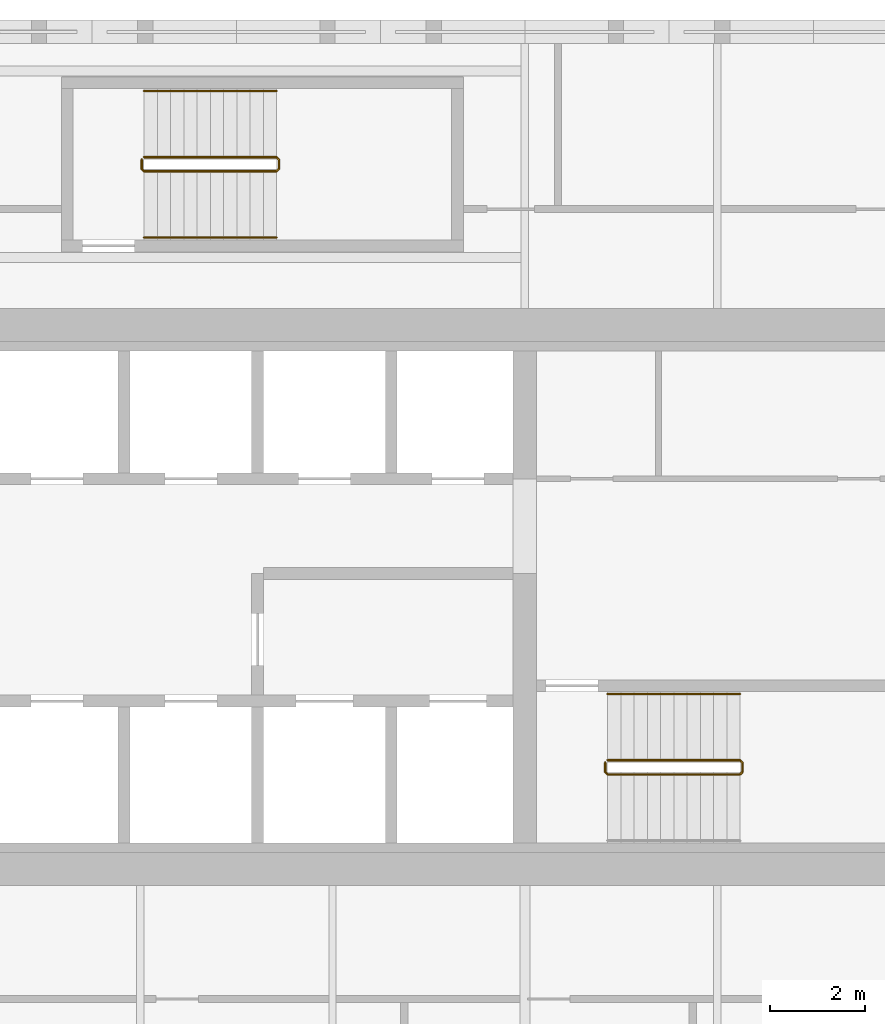
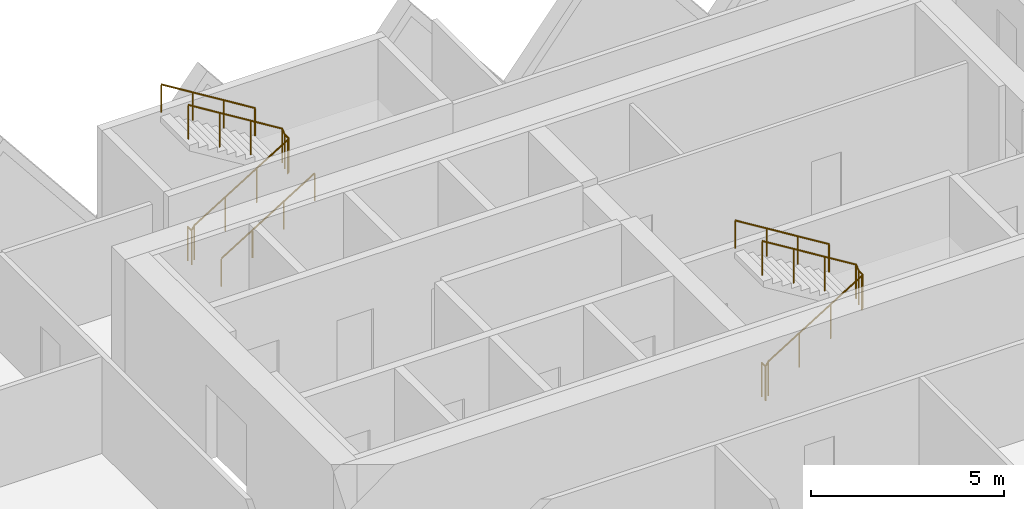
# One storey, part 18 of 18: 5 railings.
"""IFC4 building model written with IfcOpenShell, lengths in metres."""

from ifc_helpers import new_model, si_unit, direction, frame, origin, origin_2d, place, context, subcontext, project, spatial, circle, extrude, material, type_object, element, save


model = new_model("IFC4")

# Units and contexts
model_context = context("Model", 3, precision=1e-05, world=origin(), true_north=direction((0.0, 1.0)))
body_context = subcontext(model_context, "Body", "Model", "MODEL_VIEW")
ifc_project = project(units=[si_unit("LENGTHUNIT", "METRE"), si_unit("AREAUNIT", "SQUARE_METRE"), si_unit("VOLUMEUNIT", "CUBIC_METRE"), si_unit("PLANEANGLEUNIT", "RADIAN"), si_unit("MASSUNIT", "GRAM", prefix="KILO")], contexts=[model_context])

# Site, building, storey
site_placement = place(None, origin())
site = spatial("IfcSite", under=ifc_project, at=site_placement, CompositionType="ELEMENT")
building_placement = place(site_placement, origin())
building = spatial("IfcBuilding", under=site, at=building_placement, Name="Tessera Gate Towers", CompositionType="ELEMENT")
storey_placement = place(building_placement, frame((0.0, 0.0, 56.199951171875)))
storey = spatial("IfcBuildingStorey", under=building, at=storey_placement, Name="L13", CompositionType="ELEMENT", Elevation=56.199951171875)

# Railings
ifc_material_1 = material(Name="Steel 350W", Category="steel")
railing_type_1 = type_object("IfcRailingType", Name="STAIR GUARD 1100", PredefinedType="GUARDRAIL", material=ifc_material_1)
railing_1_placement = place(storey_placement, frame((111.5, 39.199951171875, 0.0)))
element("IfcRailing", 1, at=railing_1_placement, inside=storey, type_object=railing_type_1, Name="L13 ST6 stair guard 1", PredefinedType="GUARDRAIL", context=body_context, shape_type="SweptSolid", body=[
    extrude(circle(Radius=0.02392578125, at=origin_2d()), frame((0.0, 0.0, 1.076171875), z_axis=(0.0, -1.0, 0.0), x_axis=(1.0, 0.0, 0.0)), (0.0, 0.0, 1.0), 0.199951171875),
    extrude(circle(Radius=0.02392578125, at=origin_2d()), frame((0.0, -0.199951171875, 1.076171875), z_axis=(0.267953482034, -0.267953482034, 0.925419830635), x_axis=(0.707106781187, 0.707106781187, 0.0)), (0.0, 0.0, 1.0), 0.186767578125),
    extrude(circle(Radius=0.02392578125, at=origin_2d()), frame((0.050048828125, -0.25, 1.2490234375), z_axis=(0.851089632645, 0.0, 0.525020415988), x_axis=(0.0, 1.0, 0.0)), (0.0, 0.0, 1.0), 3.2900390625),
    extrude(circle(Radius=0.02392578125, at=origin_2d()), frame((2.85009765625, -0.25, 2.97607421875), z_axis=(0.705375805398, 0.708833529934, 0.0), x_axis=(-0.708833529934, 0.705375805398, 0.0)), (0.0, 0.0, 1.0), 0.070556640625),
    extrude(circle(Radius=0.02392578125, at=origin_2d()), frame((2.89990234375, -0.199951171875, 2.97607421875), z_axis=(0.0, 1.0, 0.0), x_axis=(-1.0, 0.0, 0.0)), (0.0, 0.0, 1.0), 0.199951171875),
    extrude(circle(Radius=0.02392578125, at=origin_2d()), frame((2.89990234375, 0.0, 2.97607421875), z_axis=(-0.267062837333, 0.268371968888, 0.925556009775), x_axis=(-0.708833529934, -0.705375805398, 0.0)), (0.0, 0.0, 1.0), 0.1865234375),
    extrude(circle(Radius=0.02392578125, at=origin_2d()), frame((2.85009765625, 0.050048828125, 3.14892578125), z_axis=(-0.851089632645, 0.0, 0.525020415988), x_axis=(0.0, -1.0, 0.0)), (0.0, 0.0, 1.0), 3.2900390625),
    extrude(circle(Radius=0.02099609375, at=origin_2d()), origin(), (0.0, 0.0, 1.0), 1.052001953125),
    extrude(circle(Radius=0.02099609375, at=origin_2d()), frame((0.0, -0.199951171875, 0.0)), (0.0, 0.0, 1.0), 1.052001953125),
    extrude(circle(Radius=0.02099609375, at=origin_2d()), frame((0.050048828125, -0.25, 0.1728515625)), (0.0, 0.0, 1.0), 1.052001953125),
    extrude(circle(Radius=0.02099609375, at=origin_2d()), frame((0.9833984375, -0.25, 0.74853515625)), (0.0, 0.0, 1.0), 1.052001953125),
    extrude(circle(Radius=0.02099609375, at=origin_2d()), frame((1.916748046875, -0.25, 1.324462890625)), (0.0, 0.0, 1.0), 1.052001953125),
    extrude(circle(Radius=0.02099609375, at=origin_2d()), frame((2.85009765625, -0.25, 1.900146484375)), (0.0, 0.0, 1.0), 1.052001953125),
    extrude(circle(Radius=0.02099609375, at=origin_2d()), frame((2.89990234375, -0.199951171875, 1.900146484375)), (0.0, 0.0, 1.0), 1.052001953125),
    extrude(circle(Radius=0.02099609375, at=origin_2d()), frame((2.89990234375, 0.0, 1.900146484375)), (0.0, 0.0, 1.0), 1.052001953125),
    extrude(circle(Radius=0.02099609375, at=origin_2d()), frame((2.85009765625, 0.050048828125, 2.07275390625)), (0.0, 0.0, 1.0), 1.052001953125),
    extrude(circle(Radius=0.02099609375, at=origin_2d()), frame((1.916748046875, 0.050048828125, 2.6484375)), (0.0, 0.0, 1.0), 1.052001953125),
    extrude(circle(Radius=0.02099609375, at=origin_2d()), frame((0.9833984375, 0.050048828125, 3.224365234375)), (0.0, 0.0, 1.0), 1.052001953125),
    extrude(circle(Radius=0.02099609375, at=origin_2d()), frame((0.050048828125, 0.050048828125, 3.800048828125)), (0.0, 0.0, 1.0), 1.052001953125),
])
railing_2_placement = place(storey_placement, frame((101.699951171875, 51.949951171875, 0.0)))
element("IfcRailing", 2, at=railing_2_placement, inside=storey, type_object=railing_type_1, Name="L13 ST7 stair guard 1", PredefinedType="GUARDRAIL", context=body_context, shape_type="SweptSolid", body=[
    extrude(circle(Radius=0.02392578125, at=origin_2d()), frame((0.0, 0.0, 1.076171875), z_axis=(0.0, -1.0, 0.0), x_axis=(1.0, 0.0, 0.0)), (0.0, 0.0, 1.0), 0.199951171875),
    extrude(circle(Radius=0.02392578125, at=origin_2d()), frame((0.0, -0.199951171875, 1.076171875), z_axis=(0.267953482034, -0.267953482034, 0.925419830635), x_axis=(0.707106781187, 0.707106781187, 0.0)), (0.0, 0.0, 1.0), 0.186767578125),
    extrude(circle(Radius=0.02392578125, at=origin_2d()), frame((0.050048828125, -0.25, 1.2490234375), z_axis=(0.851089632645, 0.0, 0.525020415988), x_axis=(0.0, 1.0, 0.0)), (0.0, 0.0, 1.0), 3.2900390625),
    extrude(circle(Radius=0.02392578125, at=origin_2d()), frame((2.85009765625, -0.25, 2.97607421875), z_axis=(0.707106781187, 0.707106781187, 0.0), x_axis=(-0.707106781187, 0.707106781187, 0.0)), (0.0, 0.0, 1.0), 0.07080078125),
    extrude(circle(Radius=0.02392578125, at=origin_2d()), frame((2.900146484375, -0.199951171875, 2.97607421875), z_axis=(0.0, 1.0, 0.0), x_axis=(-1.0, 0.0, 0.0)), (0.0, 0.0, 1.0), 0.199951171875),
    extrude(circle(Radius=0.02392578125, at=origin_2d()), frame((2.900146484375, 0.0, 2.97607421875), z_axis=(-0.268277960024, 0.268277960024, 0.925231793839), x_axis=(-0.707106781187, -0.707106781187, 0.0)), (0.0, 0.0, 1.0), 0.1865234375),
    extrude(circle(Radius=0.02392578125, at=origin_2d()), frame((2.85009765625, 0.050048828125, 3.14892578125), z_axis=(-0.851089632645, 0.0, 0.525020415988), x_axis=(0.0, -1.0, 0.0)), (0.0, 0.0, 1.0), 3.2900390625),
    extrude(circle(Radius=0.02099609375, at=origin_2d()), origin(), (0.0, 0.0, 1.0), 1.052001953125),
    extrude(circle(Radius=0.02099609375, at=origin_2d()), frame((0.0, -0.199951171875, 0.0)), (0.0, 0.0, 1.0), 1.052001953125),
    extrude(circle(Radius=0.02099609375, at=origin_2d()), frame((0.050048828125, -0.25, 0.1728515625)), (0.0, 0.0, 1.0), 1.052001953125),
    extrude(circle(Radius=0.02099609375, at=origin_2d()), frame((0.9833984375, -0.25, 0.74853515625)), (0.0, 0.0, 1.0), 1.052001953125),
    extrude(circle(Radius=0.02099609375, at=origin_2d()), frame((1.916748046875, -0.25, 1.324462890625)), (0.0, 0.0, 1.0), 1.052001953125),
    extrude(circle(Radius=0.02099609375, at=origin_2d()), frame((2.85009765625, -0.25, 1.900146484375)), (0.0, 0.0, 1.0), 1.052001953125),
    extrude(circle(Radius=0.02099609375, at=origin_2d()), frame((2.900146484375, -0.199951171875, 1.900146484375)), (0.0, 0.0, 1.0), 1.052001953125),
    extrude(circle(Radius=0.02099609375, at=origin_2d()), frame((2.900146484375, 0.0, 1.900146484375)), (0.0, 0.0, 1.0), 1.052001953125),
    extrude(circle(Radius=0.02099609375, at=origin_2d()), frame((2.85009765625, 0.050048828125, 2.07275390625)), (0.0, 0.0, 1.0), 1.052001953125),
    extrude(circle(Radius=0.02099609375, at=origin_2d()), frame((1.916748046875, 0.050048828125, 2.6484375)), (0.0, 0.0, 1.0), 1.052001953125),
    extrude(circle(Radius=0.02099609375, at=origin_2d()), frame((0.9833984375, 0.050048828125, 3.224365234375)), (0.0, 0.0, 1.0), 1.052001953125),
    extrude(circle(Radius=0.02099609375, at=origin_2d()), frame((0.050048828125, 0.050048828125, 3.800048828125)), (0.0, 0.0, 1.0), 1.052001953125),
])
ifc_material_2 = material(Name="Steel 350W", Category="steel")
railing_type_2 = type_object("IfcRailingType", Name="STAIR HANDRAIL 900", PredefinedType="HANDRAIL", material=ifc_material_2)
railing_3_placement = place(storey_placement, frame((114.35009765625, 40.64990234375, 2.07275390625)))
element("IfcRailing", 3, at=railing_3_placement, inside=storey, type_object=railing_type_2, Name="L13 ST6 stair handrail 2", PredefinedType="HANDRAIL", context=body_context, shape_type="SweptSolid", body=[
    extrude(circle(Radius=0.02392578125, at=origin_2d()), frame((0.0, 0.0, 0.8759765625), z_axis=(-0.851089632645, 0.0, 0.525020415988), x_axis=(0.0, -1.0, 0.0)), (0.0, 0.0, 1.0), 3.2900390625),
    extrude(circle(Radius=0.02099609375, at=origin_2d()), origin(), (0.0, 0.0, 1.0), 0.851806640625),
    extrude(circle(Radius=0.02099609375, at=origin_2d()), frame((-0.933349609375, 0.0, 0.57568359375)), (0.0, 0.0, 1.0), 0.851806640625),
    extrude(circle(Radius=0.02099609375, at=origin_2d()), frame((-1.86669921875, 0.0, 1.151611328125)), (0.0, 0.0, 1.0), 0.851806640625),
    extrude(circle(Radius=0.02099609375, at=origin_2d()), frame((-2.800048828125, 0.0, 1.727294921875)), (0.0, 0.0, 1.0), 0.851806640625),
])
railing_4_placement = place(storey_placement, frame((101.75, 50.300048828125, 0.1728515625)))
element("IfcRailing", 4, at=railing_4_placement, inside=storey, type_object=railing_type_2, Name="L13 ST7 stair handrail 1", PredefinedType="HANDRAIL", context=body_context, shape_type="SweptSolid", body=[
    extrude(circle(Radius=0.02392578125, at=origin_2d()), frame((0.0, 0.0, 0.8759765625), z_axis=(0.851089632645, 0.0, 0.525020415988), x_axis=(0.0, 1.0, 0.0)), (0.0, 0.0, 1.0), 3.2900390625),
    extrude(circle(Radius=0.02099609375, at=origin_2d()), origin(), (0.0, 0.0, 1.0), 0.851806640625),
    extrude(circle(Radius=0.02099609375, at=origin_2d()), frame((0.933349609375, 0.0, 0.57568359375)), (0.0, 0.0, 1.0), 0.851806640625),
    extrude(circle(Radius=0.02099609375, at=origin_2d()), frame((1.86669921875, 0.0, 1.151611328125)), (0.0, 0.0, 1.0), 0.851806640625),
    extrude(circle(Radius=0.02099609375, at=origin_2d()), frame((2.800048828125, 0.0, 1.727294921875)), (0.0, 0.0, 1.0), 0.851806640625),
])
railing_5_placement = place(storey_placement, frame((104.550048828125, 53.39990234375, 2.07275390625)))
element("IfcRailing", 5, at=railing_5_placement, inside=storey, type_object=railing_type_2, Name="L13 ST7 stair handrail 2", PredefinedType="HANDRAIL", context=body_context, shape_type="SweptSolid", body=[
    extrude(circle(Radius=0.02392578125, at=origin_2d()), frame((0.0, 0.0, 0.8759765625), z_axis=(-0.851089632645, 0.0, 0.525020415988), x_axis=(0.0, -1.0, 0.0)), (0.0, 0.0, 1.0), 3.2900390625),
    extrude(circle(Radius=0.02099609375, at=origin_2d()), origin(), (0.0, 0.0, 1.0), 0.851806640625),
    extrude(circle(Radius=0.02099609375, at=origin_2d()), frame((-0.933349609375, 0.0, 0.57568359375)), (0.0, 0.0, 1.0), 0.851806640625),
    extrude(circle(Radius=0.02099609375, at=origin_2d()), frame((-1.86669921875, 0.0, 1.151611328125)), (0.0, 0.0, 1.0), 0.851806640625),
    extrude(circle(Radius=0.02099609375, at=origin_2d()), frame((-2.800048828125, 0.0, 1.727294921875)), (0.0, 0.0, 1.0), 0.851806640625),
])

save(model, "model.ifc")
